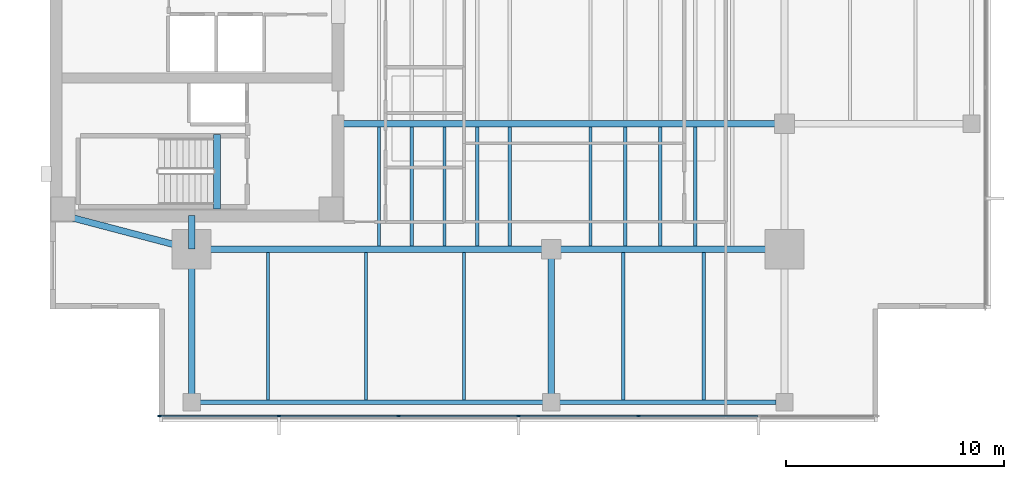
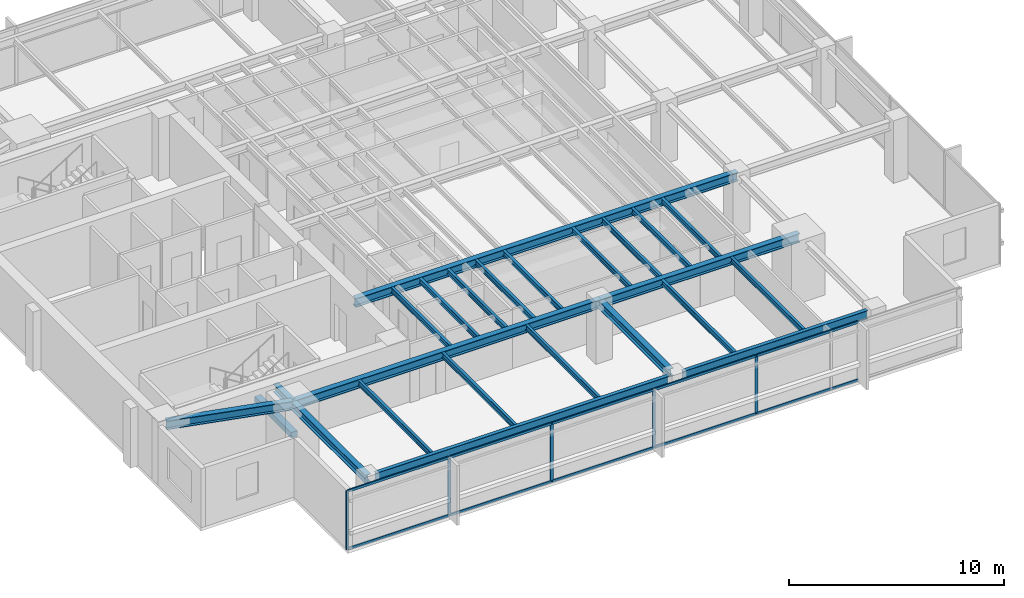
# One storey, part 2 of 15: 24 beams, 15 members, 1 element without a shape of its own.
"""IFC4 building model written with IfcOpenShell, lengths in metres."""

from ifc_helpers import new_model, si_unit, direction, frame, origin, origin_2d, place, context, subcontext, project, spatial, rectangle, i_section, extrude, material, layer, layer_set, material_profile, profile_set, type_object, element, aggregate, save


model = new_model("IFC4")

# Units and contexts
model_context = context("Model", 3, precision=1e-05, world=origin(), true_north=direction((0.0, 1.0)))
body_context = subcontext(model_context, "Body", "Model", "MODEL_VIEW")
ifc_project = project(units=[si_unit("LENGTHUNIT", "METRE"), si_unit("AREAUNIT", "SQUARE_METRE"), si_unit("VOLUMEUNIT", "CUBIC_METRE"), si_unit("PLANEANGLEUNIT", "RADIAN"), si_unit("MASSUNIT", "GRAM", prefix="KILO")], contexts=[model_context])

# Site, building, storey
site_placement = place(None, origin())
site = spatial("IfcSite", under=ifc_project, at=site_placement, CompositionType="ELEMENT")
building_placement = place(site_placement, origin())
building = spatial("IfcBuilding", under=site, at=building_placement, Name="Kinhvarn Gate Tower", CompositionType="ELEMENT")
storey_placement = place(building_placement, frame((0.0, 0.0, 237.75)))
storey = spatial("IfcBuildingStorey", under=building, at=storey_placement, Name="L63", CompositionType="ELEMENT", Elevation=237.75)

# Beam
ifc_material_1 = material(Name="Concrete C50/60", Category="concrete")
ifc_material_profile_1 = material_profile(ifc_material_1, rectangle(XDim=0.340087890625, YDim=0.320068359375, at=origin_2d()), Name="RC 340x320")
ifc_profile_set_1 = profile_set([ifc_material_profile_1], Name="Concrete C50/60")
beam_type_1 = type_object("IfcBeamType", Name="BM-LND-500", PredefinedType="BEAM", material=ifc_profile_set_1)
beam_1_placement = place(storey_placement, frame((12.1650390625, 14.60009765625, -0.159912109375), z_axis=(0.0, 1.0, 0.0), x_axis=(-1.0, 0.0, 0.0)))
element("IfcBeam", 1, at=beam_1_placement, inside=storey, type_object=beam_type_1, Name="Stair ST1 Landing Nosing Beam (L63)", PredefinedType="BEAM", context=body_context, shape_type="SweptSolid", body=[
    extrude(rectangle(XDim=0.340087890625, YDim=0.320068359375, at=origin_2d()), origin(), (0.0, 0.0, 1.0), 3.39990234375),
])

# Curtain wall, members
ifc_material_2 = material(Name="Anodised aluminium AW-6063", Category="aluminium")
ifc_layer = layer(ifc_material_2, 0.179931640625)
ifc_layer_set = layer_set([ifc_layer], Name="Anodised aluminium AW-6063")
curtain_wall_type = type_object("IfcCurtainWallType", Name="CW-SYS-3", PredefinedType="NOTDEFINED", material=ifc_layer_set)
curtain_wall_placement = place(storey_placement, origin())
curtain_wall = element("IfcCurtainWall", 2, at=curtain_wall_placement, inside=storey, type_object=curtain_wall_type, Name="Curtain Wall CW3 (L63)", PredefinedType="NOTDEFINED")
ifc_material_profile_2 = material_profile(ifc_material_2, rectangle(XDim=0.06494140625, YDim=0.159912109375, at=origin_2d()), Name="ALU 65x160")
ifc_profile_set_2 = profile_set([ifc_material_profile_2], Name="Anodised aluminium AW-6063")
member_type_1 = type_object("IfcMemberType", Name="CW-MUL-160", PredefinedType="MULLION", material=ifc_profile_set_2)
member_1_placement = place(storey_placement, frame((9.532470703125, 5.090087890625, 0.0), z_axis=(0.0, 0.0, 1.0), x_axis=(0.0, 1.0, 0.0)))
member_1 = element("IfcMember", 3, at=member_1_placement, type_object=member_type_1, Name="CW3 mullion 1", PredefinedType="MULLION", context=body_context, shape_type="SweptSolid", body=[
    extrude(rectangle(XDim=0.06494140625, YDim=0.159912109375, at=origin_2d()), origin(), (0.0, 0.0, 1.0), 3.35009765625),
])
member_2_placement = place(storey_placement, frame((15.0, 5.090087890625, 0.0), z_axis=(0.0, 0.0, 1.0), x_axis=(0.0, 1.0, 0.0)))
member_2 = element("IfcMember", 4, at=member_2_placement, type_object=member_type_1, Name="CW3 mullion 2", PredefinedType="MULLION", context=body_context, shape_type="SweptSolid", body=[
    extrude(rectangle(XDim=0.06494140625, YDim=0.159912109375, at=origin_2d()), origin(), (0.0, 0.0, 1.0), 3.35009765625),
])
member_3_placement = place(storey_placement, frame((20.5, 5.090087890625, 0.0), z_axis=(0.0, 0.0, 1.0), x_axis=(0.0, 1.0, 0.0)))
member_3 = element("IfcMember", 5, at=member_3_placement, type_object=member_type_1, Name="CW3 mullion 3", PredefinedType="MULLION", context=body_context, shape_type="SweptSolid", body=[
    extrude(rectangle(XDim=0.06494140625, YDim=0.159912109375, at=origin_2d()), origin(), (0.0, 0.0, 1.0), 3.35009765625),
])
member_4_placement = place(storey_placement, frame((26.0, 5.090087890625, 0.0), z_axis=(0.0, 0.0, 1.0), x_axis=(0.0, 1.0, 0.0)))
member_4 = element("IfcMember", 6, at=member_4_placement, type_object=member_type_1, Name="CW3 mullion 4", PredefinedType="MULLION", context=body_context, shape_type="SweptSolid", body=[
    extrude(rectangle(XDim=0.06494140625, YDim=0.159912109375, at=origin_2d()), origin(), (0.0, 0.0, 1.0), 3.35009765625),
])
member_5_placement = place(storey_placement, frame((31.5, 5.090087890625, 0.0), z_axis=(0.0, 0.0, 1.0), x_axis=(0.0, 1.0, 0.0)))
member_5 = element("IfcMember", 7, at=member_5_placement, type_object=member_type_1, Name="CW3 mullion 5", PredefinedType="MULLION", context=body_context, shape_type="SweptSolid", body=[
    extrude(rectangle(XDim=0.06494140625, YDim=0.159912109375, at=origin_2d()), origin(), (0.0, 0.0, 1.0), 3.35009765625),
])
ifc_material_profile_3 = material_profile(ifc_material_2, rectangle(XDim=0.070068359375, YDim=0.139892578125, at=origin_2d()), Name="ALU 70x140")
ifc_profile_set_3 = profile_set([ifc_material_profile_3], Name="Anodised aluminium AW-6063")
member_type_2 = type_object("IfcMemberType", Name="CW-TRN-140", PredefinedType="USERDEFINED", material=ifc_profile_set_3)
member_6_placement = place(storey_placement, frame((9.56494140625, 5.090087890625, 0.034912109375), z_axis=(1.0, 0.0, 0.0), x_axis=(0.0, 1.0, 0.0)))
member_6 = element("IfcMember", 8, at=member_6_placement, type_object=member_type_2, Name="CW3 transom 1.1", ObjectType="TRANSOM", PredefinedType="USERDEFINED", context=body_context, shape_type="SweptSolid", body=[
    extrude(rectangle(XDim=0.070068359375, YDim=0.139892578125, at=origin_2d()), origin(), (0.0, 0.0, 1.0), 5.402587890625),
])
member_7_placement = place(storey_placement, frame((9.56494140625, 5.090087890625, 3.31494140625), z_axis=(1.0, 0.0, 0.0), x_axis=(0.0, 1.0, 0.0)))
member_7 = element("IfcMember", 9, at=member_7_placement, type_object=member_type_2, Name="CW3 transom 1.2", ObjectType="TRANSOM", PredefinedType="USERDEFINED", context=body_context, shape_type="SweptSolid", body=[
    extrude(rectangle(XDim=0.070068359375, YDim=0.139892578125, at=origin_2d()), origin(), (0.0, 0.0, 1.0), 5.402587890625),
])
member_8_placement = place(storey_placement, frame((15.032470703125, 5.090087890625, 0.034912109375), z_axis=(1.0, 0.0, 0.0), x_axis=(0.0, 1.0, 0.0)))
member_8 = element("IfcMember", 10, at=member_8_placement, type_object=member_type_2, Name="CW3 transom 2.1", ObjectType="TRANSOM", PredefinedType="USERDEFINED", context=body_context, shape_type="SweptSolid", body=[
    extrude(rectangle(XDim=0.070068359375, YDim=0.139892578125, at=origin_2d()), origin(), (0.0, 0.0, 1.0), 5.43505859375),
])
member_9_placement = place(storey_placement, frame((15.032470703125, 5.090087890625, 3.31494140625), z_axis=(1.0, 0.0, 0.0), x_axis=(0.0, 1.0, 0.0)))
member_9 = element("IfcMember", 11, at=member_9_placement, type_object=member_type_2, Name="CW3 transom 2.2", ObjectType="TRANSOM", PredefinedType="USERDEFINED", context=body_context, shape_type="SweptSolid", body=[
    extrude(rectangle(XDim=0.070068359375, YDim=0.139892578125, at=origin_2d()), origin(), (0.0, 0.0, 1.0), 5.43505859375),
])
member_10_placement = place(storey_placement, frame((20.532470703125, 5.090087890625, 0.034912109375), z_axis=(1.0, 0.0, 0.0), x_axis=(0.0, 1.0, 0.0)))
member_10 = element("IfcMember", 12, at=member_10_placement, type_object=member_type_2, Name="CW3 transom 3.1", ObjectType="TRANSOM", PredefinedType="USERDEFINED", context=body_context, shape_type="SweptSolid", body=[
    extrude(rectangle(XDim=0.070068359375, YDim=0.139892578125, at=origin_2d()), origin(), (0.0, 0.0, 1.0), 5.43505859375),
])
member_11_placement = place(storey_placement, frame((20.532470703125, 5.090087890625, 3.31494140625), z_axis=(1.0, 0.0, 0.0), x_axis=(0.0, 1.0, 0.0)))
member_11 = element("IfcMember", 13, at=member_11_placement, type_object=member_type_2, Name="CW3 transom 3.2", ObjectType="TRANSOM", PredefinedType="USERDEFINED", context=body_context, shape_type="SweptSolid", body=[
    extrude(rectangle(XDim=0.070068359375, YDim=0.139892578125, at=origin_2d()), origin(), (0.0, 0.0, 1.0), 5.43505859375),
])
member_12_placement = place(storey_placement, frame((26.032470703125, 5.090087890625, 0.034912109375), z_axis=(1.0, 0.0, 0.0), x_axis=(0.0, 1.0, 0.0)))
member_12 = element("IfcMember", 14, at=member_12_placement, type_object=member_type_2, Name="CW3 transom 4.1", ObjectType="TRANSOM", PredefinedType="USERDEFINED", context=body_context, shape_type="SweptSolid", body=[
    extrude(rectangle(XDim=0.070068359375, YDim=0.139892578125, at=origin_2d()), origin(), (0.0, 0.0, 1.0), 5.43505859375),
])
member_13_placement = place(storey_placement, frame((26.032470703125, 5.090087890625, 3.31494140625), z_axis=(1.0, 0.0, 0.0), x_axis=(0.0, 1.0, 0.0)))
member_13 = element("IfcMember", 15, at=member_13_placement, type_object=member_type_2, Name="CW3 transom 4.2", ObjectType="TRANSOM", PredefinedType="USERDEFINED", context=body_context, shape_type="SweptSolid", body=[
    extrude(rectangle(XDim=0.070068359375, YDim=0.139892578125, at=origin_2d()), origin(), (0.0, 0.0, 1.0), 5.43505859375),
])
member_14_placement = place(storey_placement, frame((31.532470703125, 5.090087890625, 0.034912109375), z_axis=(1.0, 0.0, 0.0), x_axis=(0.0, 1.0, 0.0)))
member_14 = element("IfcMember", 16, at=member_14_placement, type_object=member_type_2, Name="CW3 transom 5.1", ObjectType="TRANSOM", PredefinedType="USERDEFINED", context=body_context, shape_type="SweptSolid", body=[
    extrude(rectangle(XDim=0.070068359375, YDim=0.139892578125, at=origin_2d()), origin(), (0.0, 0.0, 1.0), 5.43505859375),
])
member_15_placement = place(storey_placement, frame((31.532470703125, 5.090087890625, 3.31494140625), z_axis=(1.0, 0.0, 0.0), x_axis=(0.0, 1.0, 0.0)))
member_15 = element("IfcMember", 17, at=member_15_placement, type_object=member_type_2, Name="CW3 transom 5.2", ObjectType="TRANSOM", PredefinedType="USERDEFINED", context=body_context, shape_type="SweptSolid", body=[
    extrude(rectangle(XDim=0.070068359375, YDim=0.139892578125, at=origin_2d()), origin(), (0.0, 0.0, 1.0), 5.43505859375),
])
aggregate(curtain_wall, [member_1, member_2, member_3, member_4, member_5, member_6, member_7, member_8, member_9, member_10, member_11, member_12, member_13, member_14, member_15])

# Beams
ifc_material_3 = material(Name="Steel S355", Category="steel")
ifc_material_profile_4 = material_profile(ifc_material_3, i_section(OverallWidth=0.300048828125, OverallDepth=0.449951171875, WebThickness=0.013916015625, FlangeThickness=0.02587890625, at=origin_2d()), Name="HEB 450")
ifc_profile_set_4 = profile_set([ifc_material_profile_4], Name="Steel S355")
beam_type_2 = type_object("IfcBeamType", Name="STL-HEB450", PredefinedType="BEAM", material=ifc_profile_set_4)
beam_2_placement = place(storey_placement, frame((11.0, 5.719970703125, 3.125), z_axis=(0.0, 1.0, 0.0), x_axis=(-1.0, 0.0, 0.0)))
element("IfcBeam", 18, at=beam_2_placement, inside=storey, type_object=beam_type_2, Name="Floor Beam PG-13 (L63 MCW-S)", PredefinedType="BEAM", context=body_context, shape_type="SweptSolid", body=[
    extrude(i_section(OverallWidth=0.300048828125, OverallDepth=0.449951171875, WebThickness=0.013916015625, FlangeThickness=0.02587890625, at=origin_2d()), origin(), (0.0, 0.0, 1.0), 7.030029296875),
])
beam_3_placement = place(storey_placement, frame((11.0, 12.75, 3.125), z_axis=(0.0, 1.0, 0.0), x_axis=(-1.0, 0.0, 0.0)))
element("IfcBeam", 19, at=beam_3_placement, inside=storey, type_object=beam_type_2, Name="Floor Beam PG-13 (L63 MCW-CS)", PredefinedType="BEAM", context=body_context, shape_type="SweptSolid", body=[
    extrude(i_section(OverallWidth=0.300048828125, OverallDepth=0.449951171875, WebThickness=0.013916015625, FlangeThickness=0.02587890625, at=origin_2d()), origin(), (0.0, 0.0, 1.0), 1.550048828125),
])
beam_4_placement = place(storey_placement, frame((27.5, 6.10498046875, 3.125), z_axis=(0.0, 1.0, 0.0), x_axis=(-1.0, 0.0, 0.0)))
element("IfcBeam", 20, at=beam_4_placement, inside=storey, type_object=beam_type_2, Name="Floor Beam PG-13 (L63 SP27-S-TIE)", PredefinedType="BEAM", context=body_context, shape_type="SweptSolid", body=[
    extrude(i_section(OverallWidth=0.300048828125, OverallDepth=0.449951171875, WebThickness=0.013916015625, FlangeThickness=0.02587890625, at=origin_2d()), origin(), (0.0, 0.0, 1.0), 6.64501953125),
])
ifc_material_profile_5 = material_profile(ifc_material_3, i_section(OverallWidth=0.300048828125, OverallDepth=0.5, WebThickness=0.014404296875, FlangeThickness=0.028076171875, at=origin_2d()), Name="HEB 500")
ifc_profile_set_5 = profile_set([ifc_material_profile_5], Name="Steel S355")
beam_type_3 = type_object("IfcBeamType", Name="STL-HEB500", PredefinedType="BEAM", material=ifc_profile_set_5)
beam_5_placement = place(storey_placement, frame((11.0, 12.75, 3.10009765625), z_axis=(1.0, 0.0, 0.0), x_axis=(0.0, 1.0, 0.0)))
element("IfcBeam", 21, at=beam_5_placement, inside=storey, type_object=beam_type_3, Name="Floor Beam PG-14 (L63 MG-S1)", PredefinedType="BEAM", context=body_context, shape_type="SweptSolid", body=[
    extrude(i_section(OverallWidth=0.300048828125, OverallDepth=0.5, WebThickness=0.014404296875, FlangeThickness=0.028076171875, at=origin_2d()), origin(), (0.0, 0.0, 1.0), 16.5),
])
beam_6_placement = place(storey_placement, frame((27.5, 12.75, 3.10009765625), z_axis=(1.0, 0.0, 0.0), x_axis=(0.0, 1.0, 0.0)))
element("IfcBeam", 22, at=beam_6_placement, inside=storey, type_object=beam_type_3, Name="Floor Beam PG-14 (L63 MG-S2)", PredefinedType="BEAM", context=body_context, shape_type="SweptSolid", body=[
    extrude(i_section(OverallWidth=0.300048828125, OverallDepth=0.5, WebThickness=0.014404296875, FlangeThickness=0.028076171875, at=origin_2d()), origin(), (0.0, 0.0, 1.0), 10.699951171875),
])
beam_7_placement = place(storey_placement, frame((5.10009765625, 14.300048828125, 3.10009765625), z_axis=(0.967177623957, -0.254101246979, 0.0), x_axis=(0.254101246979, 0.967177623957, 0.0)))
element("IfcBeam", 23, at=beam_7_placement, inside=storey, type_object=beam_type_3, Name="Floor Beam PG-14 (L63 MG-SW-DIAG)", PredefinedType="BEAM", context=body_context, shape_type="SweptSolid", body=[
    extrude(i_section(OverallWidth=0.300048828125, OverallDepth=0.5, WebThickness=0.014404296875, FlangeThickness=0.028076171875, at=origin_2d()), origin(), (0.0, 0.0, 1.0), 6.10009765625),
])
beam_8_placement = place(storey_placement, frame((17.64990234375, 18.5, 3.10009765625), z_axis=(1.0, 0.0, 0.0), x_axis=(0.0, 1.0, 0.0)))
element("IfcBeam", 24, at=beam_8_placement, inside=storey, type_object=beam_type_3, Name="Floor Beam PG-14 (L63 EW1-Y18)", PredefinedType="BEAM", context=body_context, shape_type="SweptSolid", body=[
    extrude(i_section(OverallWidth=0.300048828125, OverallDepth=0.5, WebThickness=0.014404296875, FlangeThickness=0.028076171875, at=origin_2d()), origin(), (0.0, 0.0, 1.0), 20.550048828125),
])
ifc_material_profile_6 = material_profile(ifc_material_3, i_section(OverallWidth=0.14990234375, OverallDepth=0.300048828125, WebThickness=0.007080078125, FlangeThickness=0.0107421875, at=origin_2d()), Name="IPE 300")
ifc_profile_set_6 = profile_set([ifc_material_profile_6], Name="Steel S355")
beam_type_4 = type_object("IfcBeamType", Name="STL-IPE300", PredefinedType="JOIST", material=ifc_profile_set_6)
for number, where, z_axis, x_axis, name in (
    (25, (19.60009765625, 12.89990234375, 3.199951171875), (0.0, 1.0, 0.0), (-1.0, 0.0, 0.0), "Floor Joist SB-02 (L63 JC-X196-0)"),
    (26, (21.10009765625, 12.89990234375, 3.199951171875), (0.0, 1.0, 0.0), (-1.0, 0.0, 0.0), "Floor Joist SB-02 (L63 JC-X211-0)"),
    (27, (22.60009765625, 12.89990234375, 3.199951171875), (0.0, 1.0, 0.0), (-1.0, 0.0, 0.0), "Floor Joist SB-02 (L63 JC-X226-0)"),
    (28, (24.10009765625, 12.89990234375, 3.199951171875), (0.0, 1.0, 0.0), (-1.0, 0.0, 0.0), "Floor Joist SB-02 (L63 JC-X241-0)"),
    (29, (25.60009765625, 12.89990234375, 3.199951171875), (0.0, 1.0, 0.0), (-1.0, 0.0, 0.0), "Floor Joist SB-02 (L63 JC-X256-0)"),
    (30, (29.300048828125, 12.89990234375, 3.199951171875), (0.0, 1.0, 0.0), (-1.0, 0.0, 0.0), "Floor Joist SB-02 (L63 JC-X293-0)"),
    (31, (30.89990234375, 12.89990234375, 3.199951171875), (0.0, 1.0, 0.0), (-1.0, 0.0, 0.0), "Floor Joist SB-02 (L63 JC-X309-0)"),
    (32, (32.5, 12.89990234375, 3.199951171875), (0.0, 1.0, 0.0), (-1.0, 0.0, 0.0), "Floor Joist SB-02 (L63 JC-X325-0)"),
    (33, (34.10009765625, 12.89990234375, 3.199951171875), (0.0, 1.0, 0.0), (-1.0, 0.0, 0.0), "Floor Joist SB-02 (L63 JC-X341-0)"),
):
    element("IfcBeam", number, at=place(storey_placement, frame(where, z_axis=z_axis, x_axis=x_axis)), inside=storey, type_object=beam_type_4, Name=name, PredefinedType="JOIST", context=body_context, shape_type="SweptSolid", body=[
        extrude(i_section(OverallWidth=0.14990234375, OverallDepth=0.300048828125, WebThickness=0.007080078125, FlangeThickness=0.0107421875, at=origin_2d()), origin(), (0.0, 0.0, 1.0), 5.4501953125),
    ])
for number, where, z_axis, x_axis, name in (
    (34, (14.5, 5.820068359375, 3.199951171875), (0.0, 1.0, 0.0), (-1.0, 0.0, 0.0), "Floor Joist SB-02 (L63 JS-X145)"),
    (35, (19.0, 5.820068359375, 3.199951171875), (0.0, 1.0, 0.0), (-1.0, 0.0, 0.0), "Floor Joist SB-02 (L63 JS-X190)"),
    (36, (23.5, 5.820068359375, 3.199951171875), (0.0, 1.0, 0.0), (-1.0, 0.0, 0.0), "Floor Joist SB-02 (L63 JS-X235)"),
    (37, (30.800048828125, 5.820068359375, 3.199951171875), (0.0, 1.0, 0.0), (-1.0, 0.0, 0.0), "Floor Joist SB-02 (L63 JS-X308)"),
    (38, (34.5, 5.820068359375, 3.199951171875), (0.0, 1.0, 0.0), (-1.0, 0.0, 0.0), "Floor Joist SB-02 (L63 JS-X345)"),
):
    element("IfcBeam", number, at=place(storey_placement, frame(where, z_axis=z_axis, x_axis=x_axis)), inside=storey, type_object=beam_type_4, Name=name, PredefinedType="JOIST", context=body_context, shape_type="SweptSolid", body=[
        extrude(i_section(OverallWidth=0.14990234375, OverallDepth=0.300048828125, WebThickness=0.007080078125, FlangeThickness=0.0107421875, at=origin_2d()), origin(), (0.0, 0.0, 1.0), 6.780029296875),
    ])
ifc_material_profile_7 = material_profile(ifc_material_3, i_section(OverallWidth=0.199951171875, OverallDepth=0.5, WebThickness=0.01025390625, FlangeThickness=0.01611328125, at=origin_2d()), Name="IPE 500")
ifc_profile_set_7 = profile_set([ifc_material_profile_7], Name="Steel S355")
beam_type_5 = type_object("IfcBeamType", Name="STL-IPE500", PredefinedType="SPANDREL", material=ifc_profile_set_7)
beam_9_placement = place(storey_placement, frame((11.385009765625, 5.719970703125, 3.10009765625), z_axis=(1.0, 0.0, 0.0), x_axis=(0.0, 1.0, 0.0)))
element("IfcBeam", 39, at=beam_9_placement, inside=storey, type_object=beam_type_5, Name="Floor Spandrel SB-07 (L63 SP-S1)", PredefinedType="SPANDREL", context=body_context, shape_type="SweptSolid", body=[
    extrude(i_section(OverallWidth=0.199951171875, OverallDepth=0.5, WebThickness=0.01025390625, FlangeThickness=0.01611328125, at=origin_2d()), origin(), (0.0, 0.0, 1.0), 15.72998046875),
])
beam_10_placement = place(storey_placement, frame((27.885009765625, 5.719970703125, 3.10009765625), z_axis=(1.0, 0.0, 0.0), x_axis=(0.0, 1.0, 0.0)))
element("IfcBeam", 40, at=beam_10_placement, inside=storey, type_object=beam_type_5, Name="Floor Spandrel SB-07 (L63 SP-S2)", PredefinedType="SPANDREL", context=body_context, shape_type="SweptSolid", body=[
    extrude(i_section(OverallWidth=0.199951171875, OverallDepth=0.5, WebThickness=0.01025390625, FlangeThickness=0.01611328125, at=origin_2d()), origin(), (0.0, 0.0, 1.0), 9.929931640625),
])

save(model, "model.ifc")
